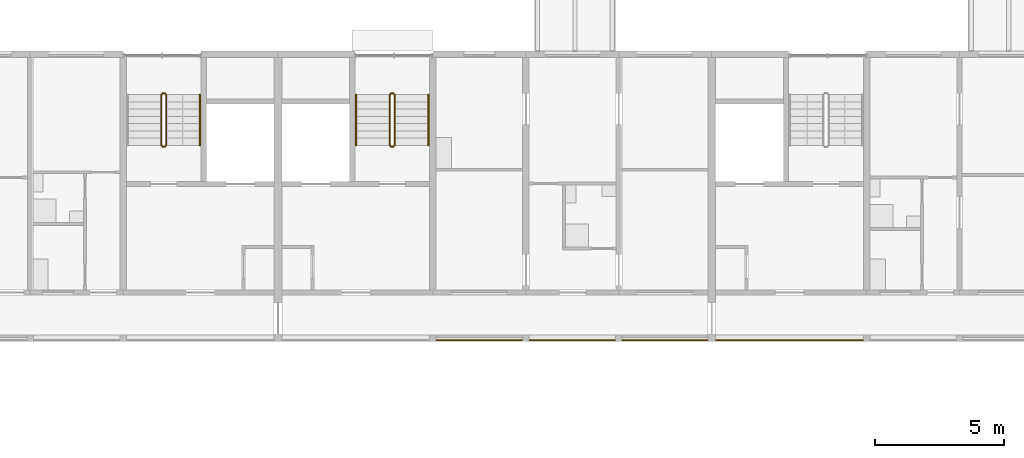
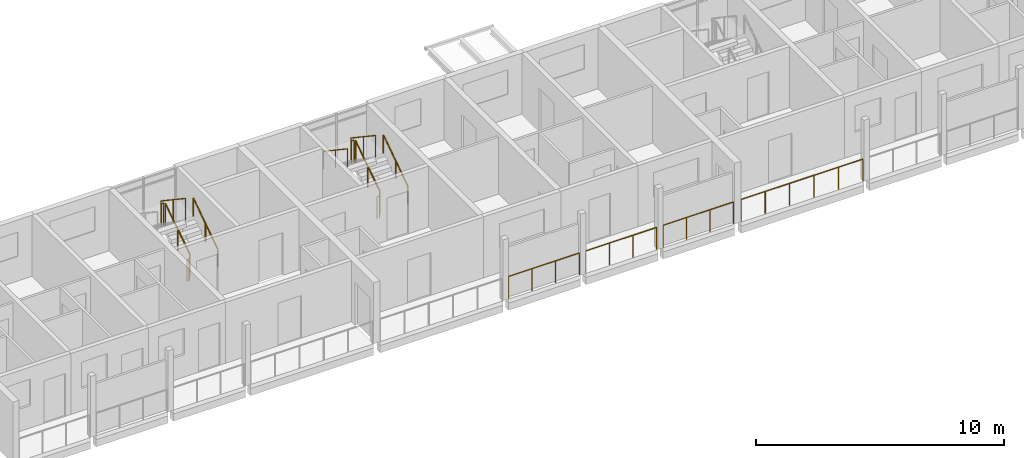
# One storey, part 107 of 122: 15 railings.
"""IFC4 building model written with IfcOpenShell, lengths in metres."""

from ifc_helpers import new_model, si_unit, direction, frame, origin, origin_2d, place, context, subcontext, project, spatial, circle, extrude, material, type_object, element, save


model = new_model("IFC4")

# Units and contexts
model_context = context("Model", 3, precision=1e-05, world=origin(), true_north=direction((0.0, 1.0)))
body_context = subcontext(model_context, "Body", "Model", "MODEL_VIEW")
ifc_project = project(units=[si_unit("LENGTHUNIT", "METRE"), si_unit("AREAUNIT", "SQUARE_METRE"), si_unit("VOLUMEUNIT", "CUBIC_METRE"), si_unit("PLANEANGLEUNIT", "RADIAN"), si_unit("MASSUNIT", "GRAM", prefix="KILO")], contexts=[model_context])

# Site, building, storey
site_placement = place(None, origin())
site = spatial("IfcSite", under=ifc_project, at=site_placement, CompositionType="ELEMENT")
building_placement = place(site_placement, origin())
building = spatial("IfcBuilding", under=site, at=building_placement, Name="Ridgestep Commons", CompositionType="ELEMENT")
storey_placement = place(building_placement, frame((0.0, 0.0, 3.0)))
storey = spatial("IfcBuildingStorey", under=building, at=storey_placement, Name="L01", CompositionType="ELEMENT", Elevation=3.0)

# Railings
ifc_material_1 = material(Name="Structural steel S355JR", Category="steel")
railing_type_1 = type_object("IfcRailingType", Name="Guard 1100", PredefinedType="GUARDRAIL", material=ifc_material_1)
railing_1_placement = place(storey_placement, frame((34.946044921875, 66.050048828125, 0.0)))
element("IfcRailing", 1, at=railing_1_placement, inside=storey, type_object=railing_type_1, Name="Gallery guard B 01.6", PredefinedType="GUARDRAIL", context=body_context, shape_type="SweptSolid", body=[
    extrude(circle(Radius=0.02392578125, at=origin_2d()), frame((0.0, 0.0, 1.076171875), z_axis=(1.0, 0.0, 0.0), x_axis=(0.0, 1.0, 0.0)), (0.0, 0.0, 1.0), 3.307861328125),
    extrude(circle(Radius=0.02099609375, at=origin_2d()), origin(), (0.0, 0.0, 1.0), 1.052001953125),
    extrude(circle(Radius=0.02099609375, at=origin_2d()), frame((1.1025390625, 0.0, 0.0)), (0.0, 0.0, 1.0), 1.052001953125),
    extrude(circle(Radius=0.02099609375, at=origin_2d()), frame((2.205322265625, 0.0, 0.0)), (0.0, 0.0, 1.0), 1.052001953125),
    extrude(circle(Radius=0.02099609375, at=origin_2d()), frame((3.307861328125, 0.0, 0.0)), (0.0, 0.0, 1.0), 1.052001953125),
])
railing_2_placement = place(storey_placement, frame((38.5458984375, 66.050048828125, 0.0)))
element("IfcRailing", 2, at=railing_2_placement, inside=storey, type_object=railing_type_1, Name="Gallery guard B 01.7", PredefinedType="GUARDRAIL", context=body_context, shape_type="SweptSolid", body=[
    extrude(circle(Radius=0.02392578125, at=origin_2d()), frame((0.0, 0.0, 1.076171875), z_axis=(1.0, 0.0, 0.0), x_axis=(0.0, 1.0, 0.0)), (0.0, 0.0, 1.0), 3.30810546875),
    extrude(circle(Radius=0.02099609375, at=origin_2d()), origin(), (0.0, 0.0, 1.0), 1.052001953125),
    extrude(circle(Radius=0.02099609375, at=origin_2d()), frame((1.102783203125, 0.0, 0.0)), (0.0, 0.0, 1.0), 1.052001953125),
    extrude(circle(Radius=0.02099609375, at=origin_2d()), frame((2.205322265625, 0.0, 0.0)), (0.0, 0.0, 1.0), 1.052001953125),
    extrude(circle(Radius=0.02099609375, at=origin_2d()), frame((3.30810546875, 0.0, 0.0)), (0.0, 0.0, 1.0), 1.052001953125),
])
railing_3_placement = place(storey_placement, frame((42.14599609375, 66.050048828125, 0.0)))
element("IfcRailing", 3, at=railing_3_placement, inside=storey, type_object=railing_type_1, Name="Gallery guard B 01.8", PredefinedType="GUARDRAIL", context=body_context, shape_type="SweptSolid", body=[
    extrude(circle(Radius=0.02392578125, at=origin_2d()), frame((0.0, 0.0, 1.076171875), z_axis=(1.0, 0.0, 0.0), x_axis=(0.0, 1.0, 0.0)), (0.0, 0.0, 1.0), 3.282958984375),
    extrude(circle(Radius=0.02099609375, at=origin_2d()), origin(), (0.0, 0.0, 1.0), 1.052001953125),
    extrude(circle(Radius=0.02099609375, at=origin_2d()), frame((1.09423828125, 0.0, 0.0)), (0.0, 0.0, 1.0), 1.052001953125),
    extrude(circle(Radius=0.02099609375, at=origin_2d()), frame((2.188720703125, 0.0, 0.0)), (0.0, 0.0, 1.0), 1.052001953125),
    extrude(circle(Radius=0.02099609375, at=origin_2d()), frame((3.282958984375, 0.0, 0.0)), (0.0, 0.0, 1.0), 1.052001953125),
])
railing_4_placement = place(storey_placement, frame((45.77099609375, 66.050048828125, 0.0)))
element("IfcRailing", 4, at=railing_4_placement, inside=storey, type_object=railing_type_1, Name="Gallery guard B 01.9", PredefinedType="GUARDRAIL", context=body_context, shape_type="SweptSolid", body=[
    extrude(circle(Radius=0.02392578125, at=origin_2d()), frame((0.0, 0.0, 1.076171875), z_axis=(1.0, 0.0, 0.0), x_axis=(0.0, 1.0, 0.0)), (0.0, 0.0, 1.0), 5.68310546875),
    extrude(circle(Radius=0.02099609375, at=origin_2d()), origin(), (0.0, 0.0, 1.0), 1.052001953125),
    extrude(circle(Radius=0.02099609375, at=origin_2d()), frame((1.13671875, 0.0, 0.0)), (0.0, 0.0, 1.0), 1.052001953125),
    extrude(circle(Radius=0.02099609375, at=origin_2d()), frame((2.273193359375, 0.0, 0.0)), (0.0, 0.0, 1.0), 1.052001953125),
    extrude(circle(Radius=0.02099609375, at=origin_2d()), frame((3.409912109375, 0.0, 0.0)), (0.0, 0.0, 1.0), 1.052001953125),
    extrude(circle(Radius=0.02099609375, at=origin_2d()), frame((4.54638671875, 0.0, 0.0)), (0.0, 0.0, 1.0), 1.052001953125),
    extrude(circle(Radius=0.02099609375, at=origin_2d()), frame((5.68310546875, 0.0, 0.0)), (0.0, 0.0, 1.0), 1.052001953125),
])
ifc_material_2 = material(Name="Structural steel S355JR", Category="steel")
railing_type_2 = type_object("IfcRailingType", Name="Stair guard 1100", PredefinedType="GUARDRAIL", material=ifc_material_2)
railing_5_placement = place(storey_placement, frame((24.47509765625, 73.60009765625, 0.1875)))
element("IfcRailing", 5, at=railing_5_placement, inside=storey, type_object=railing_type_2, Name="L01 B1C stair guard 1", PredefinedType="GUARDRAIL", context=body_context, shape_type="SweptSolid", body=[
    extrude(circle(Radius=0.02392578125, at=origin_2d()), frame((0.0, 0.0, 1.076171875), z_axis=(0.0, 0.830902050051, 0.556418712142), x_axis=(-1.0, 0.0, 0.0)), (0.0, 0.0, 1.0), 2.35888671875),
    extrude(circle(Radius=0.02099609375, at=origin_2d()), origin(), (0.0, 0.0, 1.0), 1.052001953125),
    extrude(circle(Radius=0.02099609375, at=origin_2d()), frame((0.0, 0.97998046875, 0.65625)), (0.0, 0.0, 1.0), 1.052001953125),
    extrude(circle(Radius=0.02099609375, at=origin_2d()), frame((0.0, 1.9599609375, 1.3125)), (0.0, 0.0, 1.0), 1.052001953125),
])
railing_6_placement = place(storey_placement, frame((24.425048828125, 75.610107421875, 1.5)))
element("IfcRailing", 6, at=railing_6_placement, inside=storey, type_object=railing_type_2, Name="L01 B1C stair guard 2", PredefinedType="GUARDRAIL", context=body_context, shape_type="SweptSolid", body=[
    extrude(circle(Radius=0.02392578125, at=origin_2d()), frame((0.0, 0.0, 1.076171875), z_axis=(-1.0, 0.0, 0.0), x_axis=(0.0, -1.0, 0.0)), (0.0, 0.0, 1.0), 0.10009765625),
    extrude(circle(Radius=0.02099609375, at=origin_2d()), origin(), (0.0, 0.0, 1.0), 1.052001953125),
    extrude(circle(Radius=0.02099609375, at=origin_2d()), frame((-0.10009765625, 0.0, 0.0)), (0.0, 0.0, 1.0), 1.052001953125),
])
railing_7_placement = place(storey_placement, frame((24.27490234375, 75.56005859375, 1.6875)))
element("IfcRailing", 7, at=railing_7_placement, inside=storey, type_object=railing_type_2, Name="L01 B1C stair guard 3", PredefinedType="GUARDRAIL", context=body_context, shape_type="SweptSolid", body=[
    extrude(circle(Radius=0.02392578125, at=origin_2d()), frame((0.0, 0.0, 1.076171875), z_axis=(0.0, -0.830902050051, 0.556418712142), x_axis=(1.0, 0.0, 0.0)), (0.0, 0.0, 1.0), 2.35888671875),
    extrude(circle(Radius=0.02099609375, at=origin_2d()), origin(), (0.0, 0.0, 1.0), 1.052001953125),
    extrude(circle(Radius=0.02099609375, at=origin_2d()), frame((0.0, -0.97998046875, 0.65625)), (0.0, 0.0, 1.0), 1.052001953125),
    extrude(circle(Radius=0.02099609375, at=origin_2d()), frame((0.0, -1.9599609375, 1.3125)), (0.0, 0.0, 1.0), 1.052001953125),
])
railing_8_placement = place(storey_placement, frame((24.425048828125, 73.550048828125, 0.0)))
element("IfcRailing", 8, at=railing_8_placement, inside=storey, type_object=railing_type_2, Name="L01 B1C stair guard 4", PredefinedType="GUARDRAIL", context=body_context, shape_type="SweptSolid", body=[
    extrude(circle(Radius=0.02392578125, at=origin_2d()), frame((0.0, 0.0, 1.076171875), z_axis=(-1.0, 0.0, 0.0), x_axis=(0.0, -1.0, 0.0)), (0.0, 0.0, 1.0), 0.10009765625),
    extrude(circle(Radius=0.02099609375, at=origin_2d()), origin(), (0.0, 0.0, 1.0), 1.052001953125),
    extrude(circle(Radius=0.02099609375, at=origin_2d()), frame((-0.10009765625, 0.0, 0.0)), (0.0, 0.0, 1.0), 1.052001953125),
])
railing_9_placement = place(storey_placement, frame((33.324951171875, 73.60009765625, 0.1875)))
element("IfcRailing", 9, at=railing_9_placement, inside=storey, type_object=railing_type_2, Name="L01 B2C stair guard 1", PredefinedType="GUARDRAIL", context=body_context, shape_type="SweptSolid", body=[
    extrude(circle(Radius=0.02392578125, at=origin_2d()), frame((0.0, 0.0, 1.076171875), z_axis=(0.0, 0.830902050051, 0.556418712142), x_axis=(-1.0, 0.0, 0.0)), (0.0, 0.0, 1.0), 2.35888671875),
    extrude(circle(Radius=0.02099609375, at=origin_2d()), origin(), (0.0, 0.0, 1.0), 1.052001953125),
    extrude(circle(Radius=0.02099609375, at=origin_2d()), frame((0.0, 0.97998046875, 0.65625)), (0.0, 0.0, 1.0), 1.052001953125),
    extrude(circle(Radius=0.02099609375, at=origin_2d()), frame((0.0, 1.9599609375, 1.3125)), (0.0, 0.0, 1.0), 1.052001953125),
])
railing_10_placement = place(storey_placement, frame((33.27490234375, 75.610107421875, 1.5)))
element("IfcRailing", 10, at=railing_10_placement, inside=storey, type_object=railing_type_2, Name="L01 B2C stair guard 2", PredefinedType="GUARDRAIL", context=body_context, shape_type="SweptSolid", body=[
    extrude(circle(Radius=0.02392578125, at=origin_2d()), frame((0.0, 0.0, 1.076171875), z_axis=(-1.0, 0.0, 0.0), x_axis=(0.0, -1.0, 0.0)), (0.0, 0.0, 1.0), 0.099853515625),
    extrude(circle(Radius=0.02099609375, at=origin_2d()), origin(), (0.0, 0.0, 1.0), 1.052001953125),
    extrude(circle(Radius=0.02099609375, at=origin_2d()), frame((-0.099853515625, 0.0, 0.0)), (0.0, 0.0, 1.0), 1.052001953125),
])
railing_11_placement = place(storey_placement, frame((33.125, 75.56005859375, 1.6875)))
element("IfcRailing", 11, at=railing_11_placement, inside=storey, type_object=railing_type_2, Name="L01 B2C stair guard 3", PredefinedType="GUARDRAIL", context=body_context, shape_type="SweptSolid", body=[
    extrude(circle(Radius=0.02392578125, at=origin_2d()), frame((0.0, 0.0, 1.076171875), z_axis=(0.0, -0.830902050051, 0.556418712142), x_axis=(1.0, 0.0, 0.0)), (0.0, 0.0, 1.0), 2.35888671875),
    extrude(circle(Radius=0.02099609375, at=origin_2d()), origin(), (0.0, 0.0, 1.0), 1.052001953125),
    extrude(circle(Radius=0.02099609375, at=origin_2d()), frame((0.0, -0.97998046875, 0.65625)), (0.0, 0.0, 1.0), 1.052001953125),
    extrude(circle(Radius=0.02099609375, at=origin_2d()), frame((0.0, -1.9599609375, 1.3125)), (0.0, 0.0, 1.0), 1.052001953125),
])
railing_12_placement = place(storey_placement, frame((33.27490234375, 73.550048828125, 0.0)))
element("IfcRailing", 12, at=railing_12_placement, inside=storey, type_object=railing_type_2, Name="L01 B2C stair guard 4", PredefinedType="GUARDRAIL", context=body_context, shape_type="SweptSolid", body=[
    extrude(circle(Radius=0.02392578125, at=origin_2d()), frame((0.0, 0.0, 1.076171875), z_axis=(-1.0, 0.0, 0.0), x_axis=(0.0, -1.0, 0.0)), (0.0, 0.0, 1.0), 0.099853515625),
    extrude(circle(Radius=0.02099609375, at=origin_2d()), origin(), (0.0, 0.0, 1.0), 1.052001953125),
    extrude(circle(Radius=0.02099609375, at=origin_2d()), frame((-0.099853515625, 0.0, 0.0)), (0.0, 0.0, 1.0), 1.052001953125),
])
ifc_material_3 = material(Name="Structural steel S355JR", Category="steel")
railing_type_3 = type_object("IfcRailingType", Name="Stair handrail 900", PredefinedType="HANDRAIL", material=ifc_material_3)
for number, where, name in (
    (13, (25.77490234375, 73.60009765625, 0.1875), "L01 B1C stair handrail 1"),
    (14, (34.625, 73.60009765625, 0.1875), "L01 B2C stair handrail 1"),
):
    element("IfcRailing", number, at=place(storey_placement, frame(where)), inside=storey, type_object=railing_type_3, Name=name, PredefinedType="HANDRAIL", context=body_context, shape_type="SweptSolid", body=[
        extrude(circle(Radius=0.02392578125, at=origin_2d()), frame((0.0, 0.0, 0.8759765625), z_axis=(0.0, 0.830902050051, 0.556418712142), x_axis=(-1.0, 0.0, 0.0)), (0.0, 0.0, 1.0), 2.35888671875),
        extrude(circle(Radius=0.02099609375, at=origin_2d()), origin(), (0.0, 0.0, 1.0), 0.851806640625),
        extrude(circle(Radius=0.02099609375, at=origin_2d()), frame((0.0, 0.97998046875, 0.65625)), (0.0, 0.0, 1.0), 0.851806640625),
        extrude(circle(Radius=0.02099609375, at=origin_2d()), frame((0.0, 1.9599609375, 1.3125)), (0.0, 0.0, 1.0), 0.851806640625),
    ])
railing_13_placement = place(storey_placement, frame((31.824951171875, 75.56005859375, 1.6875)))
element("IfcRailing", 15, at=railing_13_placement, inside=storey, type_object=railing_type_3, Name="L01 B2C stair handrail 2", PredefinedType="HANDRAIL", context=body_context, shape_type="SweptSolid", body=[
    extrude(circle(Radius=0.02392578125, at=origin_2d()), frame((0.0, 0.0, 0.8759765625), z_axis=(0.0, -0.830902050051, 0.556418712142), x_axis=(1.0, 0.0, 0.0)), (0.0, 0.0, 1.0), 2.35888671875),
    extrude(circle(Radius=0.02099609375, at=origin_2d()), origin(), (0.0, 0.0, 1.0), 0.851806640625),
    extrude(circle(Radius=0.02099609375, at=origin_2d()), frame((0.0, -0.97998046875, 0.65625)), (0.0, 0.0, 1.0), 0.851806640625),
    extrude(circle(Radius=0.02099609375, at=origin_2d()), frame((0.0, -1.9599609375, 1.3125)), (0.0, 0.0, 1.0), 0.851806640625),
])

save(model, "model.ifc")
